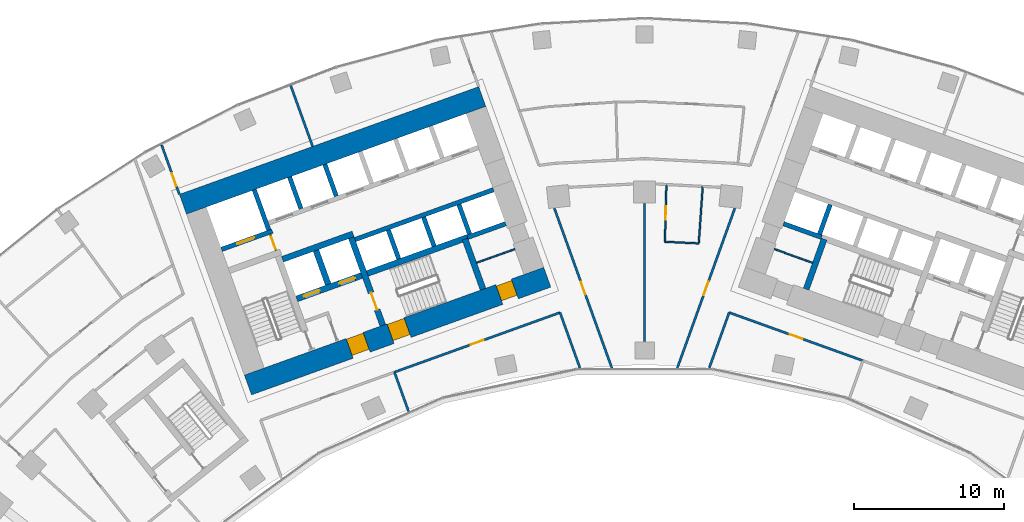
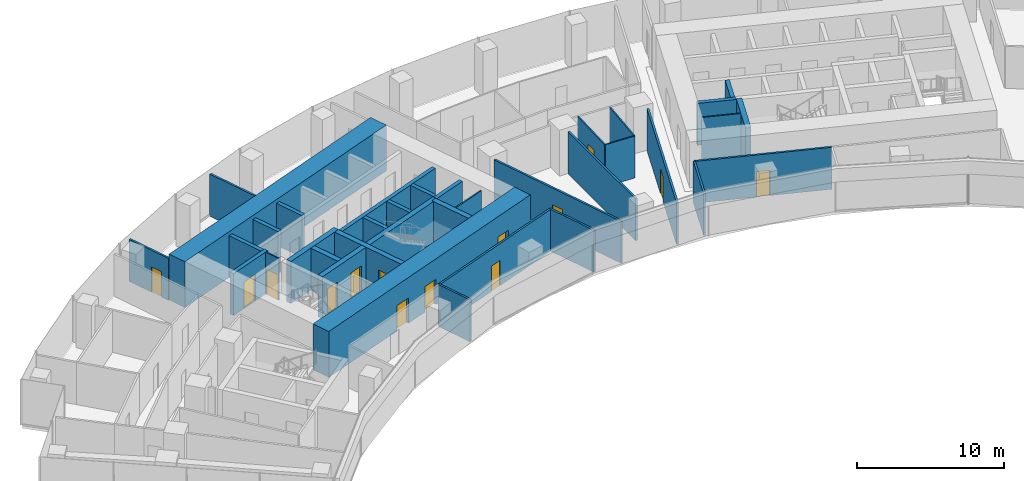
# One storey, part 15 of 21: 35 walls, 14 doors, 14 openings.
"""IFC4 building model written with IfcOpenShell, lengths in metres."""

from ifc_helpers import new_model, si_unit, direction, frame, frame_2d, origin, place, context, subcontext, project, spatial, rectangle, extrude, material, layer, layer_set, type_object, element, fill, save


model = new_model("IFC4")

# Units and contexts
model_context = context("Model", 3, precision=1e-05, world=origin(), true_north=direction((0.0, 1.0)))
body_context = subcontext(model_context, "Body", "Model", "MODEL_VIEW")
ifc_project = project(units=[si_unit("LENGTHUNIT", "METRE"), si_unit("AREAUNIT", "SQUARE_METRE"), si_unit("VOLUMEUNIT", "CUBIC_METRE"), si_unit("PLANEANGLEUNIT", "RADIAN"), si_unit("MASSUNIT", "GRAM", prefix="KILO")], contexts=[model_context])

# Site, building, storey
site_placement = place(None, origin())
site = spatial("IfcSite", under=ifc_project, at=site_placement, CompositionType="ELEMENT")
building_placement = place(site_placement, origin())
building = spatial("IfcBuilding", under=site, at=building_placement, Name="Stone Belt Terrace Tower", CompositionType="ELEMENT")
storey_placement = place(building_placement, frame((0.0, 0.0, 90.800048828125)))
storey = spatial("IfcBuildingStorey", under=building, at=storey_placement, Name="L21", CompositionType="ELEMENT", Elevation=90.800048828125)

# Wall, opening, door
ifc_material_1 = material(Name="Plasterboard partition")
ifc_layer_1 = layer(ifc_material_1, 0.10009765625)
ifc_layer_set_1 = layer_set([ifc_layer_1], Name="Core partition 100")
wall_type_1 = type_object("IfcWallType", Name="Core partition 100", PredefinedType="PARTITIONING", material=ifc_layer_set_1)
wall_1_placement = place(storey_placement, frame((-24.555908203125, 51.10400390625, 0.0), z_axis=(0.0, 0.0, 1.0), x_axis=(-0.338621735342, 0.94092258999, 0.0)))
wall_1 = element("IfcWall", 1, at=wall_1_placement, inside=storey, type_object=wall_type_1, Name="Core A wall", PredefinedType="PARTITIONING", context=body_context, shape_type="SweptSolid", body=[
    extrude(rectangle(XDim=1.14990234375, YDim=0.10009765625, at=frame_2d((0.574951171875, 0.0))), origin(), (0.0, 0.0, 1.0), 3.47998046875),
])
opening_1_placement = place(wall_1_placement, frame((0.050048828125, 0.0, 0.0)))
opening_1 = element("IfcOpeningElement", 2, at=opening_1_placement, cuts=wall_1, Name="Opening L21-C01", PredefinedType="OPENING", context=body_context, shape_type="SweptSolid", body=[
    extrude(rectangle(XDim=1.0, YDim=2.10009765625, at=frame_2d((0.5, 1.050048828125))), frame((0.0, 0.06005859375, 0.0), z_axis=(0.0, -1.0, 0.0), x_axis=(1.0, 0.0, 0.0)), (0.0, 0.0, 1.0), 0.1201171875),
])
ifc_material_2 = material(Name="Timber door leaf", Category="wood")
door_type_1 = type_object("IfcDoorType", Name="Core room door 1000", OperationType="SINGLE_SWING_LEFT", PredefinedType="DOOR", material=ifc_material_2)
door_1_placement = place(opening_1_placement, origin())
door_1 = element("IfcDoor", 3, at=door_1_placement, inside=storey, type_object=door_type_1, Name="Service lift lobby door core A", OperationType="SINGLE_SWING_RIGHT", OverallHeight=2.10009765625, OverallWidth=1.0, PredefinedType="DOOR", context=body_context, shape_type="SweptSolid", body=[
    extrude(rectangle(XDim=1.0, YDim=2.10009765625, at=frame_2d((0.5, 1.050048828125))), frame((0.0, 0.02490234375, 0.0), z_axis=(0.0, -1.0, 0.0), x_axis=(1.0, 0.0, 0.0)), (0.0, 0.0, 1.0), 0.050048828125),
])
fill(opening_1, door_1)

# Walls
for number, where, z_axis, x_axis, name in (
    (4, (-11.187744140625, 50.2822265625, 0.0), (0.0, 0.0, 1.0), (0.940949642365, 0.338546555931, 0.0), "Core A wall"),
    (5, (11.187744140625, 50.2822265625, 0.0), (0.0, 0.0, 1.0), (-0.940949642365, 0.338546555931, 0.0), "Core B wall"),
):
    element("IfcWall", number, at=place(storey_placement, frame(where, z_axis=z_axis, x_axis=x_axis)), inside=storey, type_object=wall_type_1, Name=name, PredefinedType="PARTITIONING", context=body_context, shape_type="SweptSolid", body=[
        extrude(rectangle(XDim=2.699951171875, YDim=0.10009765625, at=frame_2d((1.35009765625, 0.0))), origin(), (0.0, 0.0, 1.0), 3.47998046875),
    ])

# Wall, openings, doors
ifc_material_3 = material(Name="Concrete B80", Category="concrete")
ifc_layer_2 = layer(ifc_material_3, 1.39990234375)
ifc_layer_set_2 = layer_set([ifc_layer_2], Name="Core wall 1400 B80")
wall_type_2 = type_object("IfcWallType", Name="Core wall 1400 B80", PredefinedType="SHEAR", material=ifc_layer_set_2)
wall_2_placement = place(storey_placement, frame((-26.430908203125, 42.139404296875, 0.0), z_axis=(0.0, 0.0, 1.0), x_axis=(0.940923374003, 0.33861955681, 0.0)))
wall_2 = element("IfcWall", 6, at=wall_2_placement, inside=storey, type_object=wall_type_2, Name="Core A wall concave L21", PredefinedType="SHEAR", context=body_context, shape_type="SweptSolid", body=[
    extrude(rectangle(XDim=21.199951171875, YDim=1.39990234375, at=frame_2d((10.60009765625, 0.0))), origin(), (0.0, 0.0, 1.0), 3.800048828125),
])
opening_2_placement = place(wall_2_placement, frame((7.199951171875, 0.0, 0.0)))
opening_2 = element("IfcOpeningElement", 7, at=opening_2_placement, cuts=wall_2, Name="Opening L21-C05", PredefinedType="OPENING", context=body_context, shape_type="SweptSolid", body=[
    extrude(rectangle(XDim=1.199951171875, YDim=2.10009765625, at=frame_2d((0.60009765625, 1.050048828125))), frame((0.0, 0.7099609375, 0.0), z_axis=(0.0, -1.0, 0.0), x_axis=(1.0, 0.0, 0.0)), (0.0, 0.0, 1.0), 1.419921875),
])
opening_3_placement = place(wall_2_placement, frame((10.099853515625, 0.0, 0.0)))
opening_3 = element("IfcOpeningElement", 8, at=opening_3_placement, cuts=wall_2, Name="Opening L21-C07", PredefinedType="OPENING", context=body_context, shape_type="SweptSolid", body=[
    extrude(rectangle(XDim=1.199951171875, YDim=2.10009765625, at=frame_2d((0.60009765625, 1.050048828125))), frame((0.0, 0.7099609375, 0.0), z_axis=(0.0, -1.0, 0.0), x_axis=(1.0, 0.0, 0.0)), (0.0, 0.0, 1.0), 1.419921875),
])
opening_4_placement = place(wall_2_placement, frame((17.800048828125, 0.0, 0.0)))
opening_4 = element("IfcOpeningElement", 9, at=opening_4_placement, cuts=wall_2, Name="Opening L21-C09", PredefinedType="OPENING", context=body_context, shape_type="SweptSolid", body=[
    extrude(rectangle(XDim=1.10009765625, YDim=2.10009765625, at=frame_2d((0.550048828125, 1.050048828125))), frame((0.0, 0.7099609375, 0.0), z_axis=(0.0, -1.0, 0.0), x_axis=(1.0, 0.0, 0.0)), (0.0, 0.0, 1.0), 1.419921875),
])
door_type_2 = type_object("IfcDoorType", Name="Core room door 1100", OperationType="SINGLE_SWING_LEFT", PredefinedType="DOOR", material=ifc_material_2)
door_2_placement = place(opening_4_placement, origin())
door_2 = element("IfcDoor", 10, at=door_2_placement, inside=storey, type_object=door_type_2, Name="Door to Cleaner's store core A", OperationType="SINGLE_SWING_RIGHT", OverallHeight=2.10009765625, OverallWidth=1.10009765625, PredefinedType="DOOR", context=body_context, shape_type="SweptSolid", body=[
    extrude(rectangle(XDim=1.10009765625, YDim=2.10009765625, at=frame_2d((0.550048828125, 1.050048828125))), frame((0.0, 0.60498046875, 0.0), z_axis=(0.0, -1.0, 0.0), x_axis=(1.0, 0.0, 0.0)), (0.0, 0.0, 1.0), 1.050048828125),
])
fill(opening_4, door_2)
ifc_material_4 = material(Name="Steel door leaf", Category="steel")
door_type_3 = type_object("IfcDoorType", Name="Fire-fighting lobby door 1200", OperationType="SINGLE_SWING_LEFT", PredefinedType="DOOR", material=ifc_material_4)
door_3_placement = place(opening_2_placement, origin())
door_3 = element("IfcDoor", 11, at=door_3_placement, inside=storey, type_object=door_type_3, Name="Fire-fighting lobby door core A", OperationType="SINGLE_SWING_RIGHT", OverallHeight=2.10009765625, OverallWidth=1.199951171875, PredefinedType="DOOR", context=body_context, shape_type="SweptSolid", body=[
    extrude(rectangle(XDim=1.199951171875, YDim=2.10009765625, at=frame_2d((0.60009765625, 1.050048828125))), frame((0.0, 0.655029296875, 0.0), z_axis=(0.0, -1.0, 0.0), x_axis=(1.0, 0.0, 0.0)), (0.0, 0.0, 1.0), 1.14990234375),
])
fill(opening_2, door_3)
door_type_4 = type_object("IfcDoorType", Name="Stair door 1200", OperationType="SINGLE_SWING_LEFT", PredefinedType="DOOR", material=ifc_material_4)
door_4_placement = place(opening_3_placement, origin())
door_4 = element("IfcDoor", 12, at=door_4_placement, inside=storey, type_object=door_type_4, Name="Stair 2 exit door core A", OperationType="SINGLE_SWING_LEFT", OverallHeight=2.10009765625, OverallWidth=1.199951171875, PredefinedType="DOOR", context=body_context, shape_type="SweptSolid", body=[
    extrude(rectangle(XDim=1.199951171875, YDim=2.10009765625, at=frame_2d((0.60009765625, 1.050048828125))), frame((0.0, 0.655029296875, 0.0), z_axis=(0.0, -1.0, 0.0), x_axis=(1.0, 0.0, 0.0)), (0.0, 0.0, 1.0), 1.14990234375),
])
fill(opening_3, door_4)

# Walls
wall_3_placement = place(storey_placement, frame((-30.765380859375, 54.18310546875, 0.0), z_axis=(0.0, 0.0, 1.0), x_axis=(0.940919704758, 0.338629752382, 0.0)))
element("IfcWall", 13, at=wall_3_placement, inside=storey, type_object=wall_type_2, Name="Core A wall convex L21", PredefinedType="SHEAR", context=body_context, shape_type="SweptSolid", body=[
    extrude(rectangle(XDim=21.199951171875, YDim=1.39990234375, at=frame_2d((10.60009765625, 0.0))), origin(), (0.0, 0.0, 1.0), 3.800048828125),
])
ifc_layer_3 = layer(ifc_material_3, 0.39990234375)
ifc_layer_set_3 = layer_set([ifc_layer_3], Name="Fire-fighting lift shaft wall 400")
wall_type_3 = type_object("IfcWallType", Name="Fire-fighting lift shaft wall 400", PredefinedType="SHEAR", material=ifc_layer_set_3)
wall_4_placement = place(storey_placement, frame((-24.130615234375, 50.512939453125, 0.0), z_axis=(0.0, 0.0, 1.0), x_axis=(0.94091168377, 0.338652038744, 0.0)))
element("IfcWall", 14, at=wall_4_placement, inside=storey, type_object=wall_type_3, Name="Core A wall", PredefinedType="SHEAR", context=body_context, shape_type="SweptSolid", body=[
    extrude(rectangle(XDim=5.000244140625, YDim=0.39990234375, at=frame_2d((2.5, 0.0))), origin(), (0.0, 0.0, 1.0), 3.47998046875),
])
wall_5_placement = place(storey_placement, frame((-21.0859375, 48.845458984375, 0.0), z_axis=(0.0, 0.0, 1.0), x_axis=(-0.338629416206, 0.940919825745, 0.0)))
element("IfcWall", 15, at=wall_5_placement, inside=storey, type_object=wall_type_3, Name="Core A wall", PredefinedType="SHEAR", context=body_context, shape_type="SweptSolid", body=[
    extrude(rectangle(XDim=2.400146484375, YDim=0.39990234375, at=frame_2d((1.2001953125, 0.0))), origin(), (0.0, 0.0, 1.0), 3.47998046875),
])

# Wall, opening, door
ifc_layer_4 = layer(ifc_material_3, 0.300048828125)
ifc_layer_set_4 = layer_set([ifc_layer_4], Name="Lift shaft wall 300")
wall_type_4 = type_object("IfcWallType", Name="Lift shaft wall 300", PredefinedType="SHEAR", material=ifc_layer_set_4)
wall_6_placement = place(storey_placement, frame((-28.195068359375, 51.17578125, 0.0), z_axis=(0.0, 0.0, 1.0), x_axis=(0.940901243567, 0.338681044427, 0.0)))
wall_6 = element("IfcWall", 16, at=wall_6_placement, inside=storey, type_object=wall_type_4, Name="Core A wall", PredefinedType="SHEAR", context=body_context, shape_type="SweptSolid", body=[
    extrude(rectangle(XDim=3.599853515625, YDim=0.300048828125, at=frame_2d((1.7998046875, 0.0))), origin(), (0.0, 0.0, 1.0), 3.47998046875),
])
opening_5_placement = place(wall_6_placement, frame((1.1201171875, 0.0, 0.0)))
opening_5 = element("IfcOpeningElement", 17, at=opening_5_placement, cuts=wall_6, Name="Opening L21-LD09", PredefinedType="OPENING", context=body_context, shape_type="SweptSolid", body=[
    extrude(rectangle(XDim=1.199951171875, YDim=2.199951171875, at=frame_2d((0.60009765625, 1.10009765625))), frame((0.0, 0.159912109375, 0.0), z_axis=(0.0, -1.0, 0.0), x_axis=(1.0, 0.0, 0.0)), (0.0, 0.0, 1.0), 0.320068359375),
])
ifc_material_5 = material(Name="Stainless steel door leaf", Category="steel")
door_type_5 = type_object("IfcDoorType", Name="Landing door 1200", OperationType="SLIDING_TO_LEFT", PredefinedType="DOOR", material=ifc_material_5)
door_5_placement = place(opening_5_placement, origin())
door_5 = element("IfcDoor", 18, at=door_5_placement, inside=storey, type_object=door_type_5, Name="Landing door SV1 core A", OperationType="SLIDING_TO_LEFT", OverallHeight=2.199951171875, OverallWidth=1.199951171875, PredefinedType="DOOR", context=body_context, shape_type="SweptSolid", body=[
    extrude(rectangle(XDim=1.199951171875, YDim=2.199951171875, at=frame_2d((0.60009765625, 1.10009765625))), frame((0.0, 0.02490234375, 0.0), z_axis=(0.0, -1.0, 0.0), x_axis=(1.0, 0.0, 0.0)), (0.0, 0.0, 1.0), 0.050048828125),
])
fill(opening_5, door_5)

# Walls
wall_7_placement = place(storey_placement, frame((-25.046875, 52.46826171875, 0.0), z_axis=(0.0, 0.0, 1.0), x_axis=(-0.338549588058, 0.940948551423, 0.0)))
element("IfcWall", 19, at=wall_7_placement, inside=storey, type_object=wall_type_4, Name="Core A wall", PredefinedType="SHEAR", context=body_context, shape_type="SweptSolid", body=[
    extrude(rectangle(XDim=2.849853515625, YDim=0.300048828125, at=frame_2d((1.4248046875, 0.0))), origin(), (0.0, 0.0, 1.0), 3.47998046875),
])
wall_8_placement = place(storey_placement, frame((-22.897705078125, 53.87939453125, 0.0), z_axis=(0.0, 0.0, 1.0), x_axis=(-0.338535034312, 0.940953787677, 0.0)))
element("IfcWall", 20, at=wall_8_placement, inside=storey, type_object=wall_type_4, Name="Core A wall", PredefinedType="SHEAR", context=body_context, shape_type="SweptSolid", body=[
    extrude(rectangle(XDim=2.25, YDim=0.300048828125, at=frame_2d((1.125, 0.0))), origin(), (0.0, 0.0, 1.0), 3.47998046875),
])
wall_9_placement = place(storey_placement, frame((-19.29052734375, 51.829833984375, 0.0), z_axis=(0.0, 0.0, 1.0), x_axis=(0.940925833398, 0.338612722803, 0.0)))
element("IfcWall", 21, at=wall_9_placement, inside=storey, type_object=wall_type_4, Name="Core A wall", PredefinedType="SHEAR", context=body_context, shape_type="SweptSolid", body=[
    extrude(rectangle(XDim=9.7998046875, YDim=0.300048828125, at=frame_2d((4.89990234375, 0.0))), origin(), (0.0, 0.0, 1.0), 3.47998046875),
])
wall_10_placement = place(storey_placement, frame((-20.54541015625, 54.72607421875, 0.0), z_axis=(0.0, 0.0, 1.0), x_axis=(-0.338569601369, 0.940941350472, 0.0)))
element("IfcWall", 22, at=wall_10_placement, inside=storey, type_object=wall_type_4, Name="Core A wall", PredefinedType="SHEAR", context=body_context, shape_type="SweptSolid", body=[
    extrude(rectangle(XDim=2.249755859375, YDim=0.300048828125, at=frame_2d((1.125, 0.0))), origin(), (0.0, 0.0, 1.0), 3.47998046875),
])
for number, where, z_axis, x_axis, name in (
    (23, (-16.38134765625, 50.53857421875, 0.0), (0.0, 0.0, 1.0), (-0.338681515556, 0.940901073982, 0.0), "Core A wall"),
    (24, (-14.029052734375, 51.38525390625, 0.0), (0.0, 0.0, 1.0), (-0.338681515556, 0.940901073982, 0.0), "Core A wall"),
):
    element("IfcWall", number, at=place(storey_placement, frame(where, z_axis=z_axis, x_axis=x_axis)), inside=storey, type_object=wall_type_4, Name=name, PredefinedType="SHEAR", context=body_context, shape_type="SweptSolid", body=[
        extrude(rectangle(XDim=2.050048828125, YDim=0.300048828125, at=frame_2d((1.02490234375, 0.0))), origin(), (0.0, 0.0, 1.0), 3.47998046875),
    ])
wall_11_placement = place(storey_placement, frame((-11.797119140625, 51.975830078125, 0.0), z_axis=(0.0, 0.0, 1.0), x_axis=(0.940910465161, 0.33865542451, 0.0)))
element("IfcWall", 25, at=wall_11_placement, inside=storey, type_object=wall_type_4, Name="Core A wall", PredefinedType="SHEAR", context=body_context, shape_type="SweptSolid", body=[
    extrude(rectangle(XDim=2.69970703125, YDim=0.300048828125, at=frame_2d((1.349853515625, 0.0))), origin(), (0.0, 0.0, 1.0), 3.47998046875),
])
wall_12_placement = place(storey_placement, frame((-11.659912109375, 52.184814453125, 0.0), z_axis=(0.0, 0.0, 1.0), x_axis=(-0.338670064856, 0.940905195634, 0.0)))
element("IfcWall", 26, at=wall_12_placement, inside=storey, type_object=wall_type_4, Name="Core A wall", PredefinedType="SHEAR", context=body_context, shape_type="SweptSolid", body=[
    extrude(rectangle(XDim=2.099853515625, YDim=0.300048828125, at=frame_2d((1.0498046875, 0.0))), origin(), (0.0, 0.0, 1.0), 3.47998046875),
])
wall_13_placement = place(storey_placement, frame((11.797119140625, 51.975830078125, 0.0), z_axis=(0.0, 0.0, 1.0), x_axis=(-0.940910465161, 0.33865542451, 0.0)))
element("IfcWall", 27, at=wall_13_placement, inside=storey, type_object=wall_type_4, Name="Core B wall", PredefinedType="SHEAR", context=body_context, shape_type="SweptSolid", body=[
    extrude(rectangle(XDim=2.69970703125, YDim=0.300048828125, at=frame_2d((1.349853515625, 0.0))), origin(), (0.0, 0.0, 1.0), 3.47998046875),
])
wall_14_placement = place(storey_placement, frame((11.659912109375, 52.184814453125, 0.0), z_axis=(0.0, 0.0, 1.0), x_axis=(0.338670064856, 0.940905195634, 0.0)))
element("IfcWall", 28, at=wall_14_placement, inside=storey, type_object=wall_type_4, Name="Core B wall", PredefinedType="SHEAR", context=body_context, shape_type="SweptSolid", body=[
    extrude(rectangle(XDim=2.099853515625, YDim=0.300048828125, at=frame_2d((1.0498046875, 0.0))), origin(), (0.0, 0.0, 1.0), 3.47998046875),
])

# Wall, opening, door
ifc_material_6 = material(Name="Gypsum board partition")
ifc_layer_5 = layer(ifc_material_6, 0.10009765625)
ifc_layer_set_5 = layer_set([ifc_layer_5], Name="PARTITION 100")
wall_type_5 = type_object("IfcWallType", Name="PARTITION 100", PredefinedType="PARTITIONING", material=ifc_layer_set_5)
wall_15_placement = place(storey_placement, frame((1.4541015625, 55.4990234375, 0.0), z_axis=(0.0, 0.0, 1.0), x_axis=(-0.025958630336, -0.999663017977, 0.0)))
wall_15 = element("IfcWall", 29, at=wall_15_placement, inside=storey, type_object=wall_type_5, Name="L21/wall/i090", PredefinedType="PARTITIONING", context=body_context, shape_type="SweptSolid", body=[
    extrude(rectangle(XDim=3.818359375, YDim=0.10009765625, at=frame_2d((1.9091796875, 0.0))), origin(), (0.0, 0.0, 1.0), 3.47998046875),
])
opening_6_placement = place(wall_15_placement, frame((1.459228515625, 0.0, 0.0)))
opening_6 = element("IfcOpeningElement", 30, at=opening_6_placement, cuts=wall_15, Name="Opening D-B2-28", PredefinedType="OPENING", context=body_context, shape_type="SweptSolid", body=[
    extrude(rectangle(XDim=0.89990234375, YDim=2.10009765625, at=frame_2d((0.449951171875, 1.050048828125))), frame((0.0, 0.06005859375, 0.0), z_axis=(0.0, -1.0, 0.0), x_axis=(1.0, 0.0, 0.0)), (0.0, 0.0, 1.0), 0.1201171875),
])
door_type_6 = type_object("IfcDoorType", Name="OFFICE DOOR 900 X 2100", OperationType="NOTDEFINED", PredefinedType="DOOR", material=ifc_material_2)
door_6_placement = place(opening_6_placement, origin())
door_6 = element("IfcDoor", 31, at=door_6_placement, inside=storey, type_object=door_type_6, Name="L21/door/i28", OperationType="SINGLE_SWING_RIGHT", OverallHeight=2.10009765625, OverallWidth=0.89990234375, PredefinedType="DOOR", context=body_context, shape_type="SweptSolid", body=[
    extrude(rectangle(XDim=0.89990234375, YDim=2.10009765625, at=frame_2d((0.449951171875, 1.050048828125))), frame((0.0, 0.02490234375, 0.0), z_axis=(0.0, -1.0, 0.0), x_axis=(1.0, 0.0, 0.0)), (0.0, 0.0, 1.0), 0.050048828125),
])
fill(opening_6, door_6)

# Walls
wall_16_placement = place(storey_placement, frame((1.35498046875, 51.681884765625, 0.0), z_axis=(0.0, 0.0, 1.0), x_axis=(0.998855865407, -0.047822172066, 0.0)))
element("IfcWall", 32, at=wall_16_placement, inside=storey, type_object=wall_type_5, Name="L21/wall/i091", PredefinedType="PARTITIONING", context=body_context, shape_type="SweptSolid", body=[
    extrude(rectangle(XDim=2.256591796875, YDim=0.10009765625, at=frame_2d((1.12841796875, 0.0))), origin(), (0.0, 0.0, 1.0), 3.47998046875),
])
wall_17_placement = place(storey_placement, frame((3.60888671875, 51.573974609375, 0.0), z_axis=(0.0, 0.0, 1.0), x_axis=(0.069893575531, 0.997554453701, 0.0)))
element("IfcWall", 33, at=wall_17_placement, inside=storey, type_object=wall_type_5, Name="L21/wall/i092", PredefinedType="PARTITIONING", context=body_context, shape_type="SweptSolid", body=[
    extrude(rectangle(XDim=3.807373046875, YDim=0.10009765625, at=frame_2d((1.90380859375, 0.0))), origin(), (0.0, 0.0, 1.0), 3.47998046875),
])

# Wall, opening, door
ifc_layer_6 = layer(ifc_material_6, 0.14990234375)
ifc_layer_set_6 = layer_set([ifc_layer_6], Name="PARTITION 150 EI 60")
wall_type_6 = type_object("IfcWallType", Name="PARTITION 150 EI 60", PredefinedType="PARTITIONING", material=ifc_layer_set_6)
wall_18_placement = place(storey_placement, frame((-32.185791015625, 58.131103515625, 0.0), z_axis=(0.0, 0.0, 1.0), x_axis=(0.338662585219, -0.940907887826, 0.0)))
wall_18 = element("IfcWall", 34, at=wall_18_placement, inside=storey, type_object=wall_type_6, Name="L21/wall/i002", PredefinedType="PARTITIONING", context=body_context, shape_type="SweptSolid", body=[
    extrude(rectangle(XDim=3.49560546875, YDim=0.14990234375, at=frame_2d((1.747802734375, 0.0))), origin(), (0.0, 0.0, 1.0), 3.47998046875),
])
opening_7_placement = place(wall_18_placement, frame((1.996337890625, 0.0, 0.0)))
opening_7 = element("IfcOpeningElement", 35, at=opening_7_placement, cuts=wall_18, Name="Opening D-B2-03", PredefinedType="OPENING", context=body_context, shape_type="SweptSolid", body=[
    extrude(rectangle(XDim=0.89990234375, YDim=2.10009765625, at=frame_2d((0.449951171875, 1.050048828125))), frame((0.0, 0.0849609375, 0.0), z_axis=(0.0, -1.0, 0.0), x_axis=(1.0, 0.0, 0.0)), (0.0, 0.0, 1.0), 0.169921875),
])
door_7_placement = place(opening_7_placement, origin())
door_7 = element("IfcDoor", 36, at=door_7_placement, inside=storey, type_object=door_type_6, Name="L21/door/i03", OperationType="SINGLE_SWING_RIGHT", OverallHeight=2.10009765625, OverallWidth=0.89990234375, PredefinedType="DOOR", context=body_context, shape_type="SweptSolid", body=[
    extrude(rectangle(XDim=0.89990234375, YDim=2.10009765625, at=frame_2d((0.449951171875, 1.050048828125))), frame((0.0, 0.02490234375, 0.0), z_axis=(0.0, -1.0, 0.0), x_axis=(1.0, 0.0, 0.0)), (0.0, 0.0, 1.0), 0.050048828125),
])
fill(opening_7, door_7)

# Wall
wall_19_placement = place(storey_placement, frame((-4.31005859375, 43.27783203125, 0.0), z_axis=(0.0, 0.0, 1.0), x_axis=(-0.338490436495, 0.940969831823, 0.0)))
element("IfcWall", 37, at=wall_19_placement, inside=storey, type_object=wall_type_6, Name="L21/wall/i007", PredefinedType="PARTITIONING", context=body_context, shape_type="SweptSolid", body=[
    extrude(rectangle(XDim=3.92578125, YDim=0.14990234375, at=frame_2d((1.962890625, 0.0))), origin(), (0.0, 0.0, 1.0), 3.47998046875),
])

# Wall, opening, door
wall_20_placement = place(storey_placement, frame((-6.011962890625, 53.911865234375, 0.0), z_axis=(0.0, 0.0, 1.0), x_axis=(0.338656837626, -0.940909956547, 0.0)))
wall_20 = element("IfcWall", 38, at=wall_20_placement, inside=storey, type_object=wall_type_6, Name="L21/wall/i009", PredefinedType="PARTITIONING", context=body_context, shape_type="SweptSolid", body=[
    extrude(rectangle(XDim=11.319091796875, YDim=0.14990234375, at=frame_2d((5.65966796875, 0.0))), origin(), (0.0, 0.0, 1.0), 3.47998046875),
])
opening_8_placement = place(wall_20_placement, frame((5.20947265625, 0.0, 0.0)))
opening_8 = element("IfcOpeningElement", 39, at=opening_8_placement, cuts=wall_20, Name="Opening D-B2-26", PredefinedType="OPENING", context=body_context, shape_type="SweptSolid", body=[
    extrude(rectangle(XDim=0.89990234375, YDim=2.10009765625, at=frame_2d((0.449951171875, 1.050048828125))), frame((0.0, 0.0849609375, 0.0), z_axis=(0.0, -1.0, 0.0), x_axis=(1.0, 0.0, 0.0)), (0.0, 0.0, 1.0), 0.169921875),
])
door_8_placement = place(opening_8_placement, origin())
door_8 = element("IfcDoor", 40, at=door_8_placement, inside=storey, type_object=door_type_6, Name="L21/door/i26", OperationType="SINGLE_SWING_RIGHT", OverallHeight=2.10009765625, OverallWidth=0.89990234375, PredefinedType="DOOR", context=body_context, shape_type="SweptSolid", body=[
    extrude(rectangle(XDim=0.89990234375, YDim=2.10009765625, at=frame_2d((0.449951171875, 1.050048828125))), frame((0.0, 0.02490234375, 0.0), z_axis=(0.0, -1.0, 0.0), x_axis=(1.0, 0.0, 0.0)), (0.0, 0.0, 1.0), 0.050048828125),
])
fill(opening_8, door_8)

wall_21_placement = place(storey_placement, frame((-5.636962890625, 46.966064453125, 0.0), z_axis=(0.0, 0.0, 1.0), x_axis=(-0.940912345084, -0.338650201342, 0.0)))
wall_21 = element("IfcWall", 41, at=wall_21_placement, inside=storey, type_object=wall_type_6, Name="L21/wall/i013", PredefinedType="PARTITIONING", context=body_context, shape_type="SweptSolid", body=[
    extrude(rectangle(XDim=11.732177734375, YDim=0.14990234375, at=frame_2d((5.8662109375, 0.0))), origin(), (0.0, 0.0, 1.0), 3.47998046875),
])
opening_9_placement = place(wall_21_placement, frame((5.416015625, 0.0, 0.0)))
opening_9 = element("IfcOpeningElement", 42, at=opening_9_placement, cuts=wall_21, Name="Opening D-B2-02", PredefinedType="OPENING", context=body_context, shape_type="SweptSolid", body=[
    extrude(rectangle(XDim=0.89990234375, YDim=2.10009765625, at=frame_2d((0.449951171875, 1.050048828125))), frame((0.0, 0.0849609375, 0.0), z_axis=(0.0, -1.0, 0.0), x_axis=(1.0, 0.0, 0.0)), (0.0, 0.0, 1.0), 0.169921875),
])
door_9_placement = place(opening_9_placement, origin())
door_9 = element("IfcDoor", 43, at=door_9_placement, inside=storey, type_object=door_type_6, Name="L21/door/i02", OperationType="SINGLE_SWING_RIGHT", OverallHeight=2.10009765625, OverallWidth=0.89990234375, PredefinedType="DOOR", context=body_context, shape_type="SweptSolid", body=[
    extrude(rectangle(XDim=0.89990234375, YDim=2.10009765625, at=frame_2d((0.449951171875, 1.050048828125))), frame((0.0, 0.02490234375, 0.0), z_axis=(0.0, -1.0, 0.0), x_axis=(1.0, 0.0, 0.0)), (0.0, 0.0, 1.0), 0.050048828125),
])
fill(opening_9, door_9)

# Walls
wall_22_placement = place(storey_placement, frame((-16.669921875, 42.9951171875, 0.0), z_axis=(0.0, 0.0, 1.0), x_axis=(0.338497487459, -0.940967295385, 0.0)))
element("IfcWall", 44, at=wall_22_placement, inside=storey, type_object=wall_type_6, Name="L21/wall/i014", PredefinedType="PARTITIONING", context=body_context, shape_type="SweptSolid", body=[
    extrude(rectangle(XDim=2.80419921875, YDim=0.14990234375, at=frame_2d((1.402099609375, 0.0))), origin(), (0.0, 0.0, 1.0), 3.47998046875),
])
wall_23_placement = place(storey_placement, frame((-23.578857421875, 62.08203125, 0.0), z_axis=(0.0, 0.0, 1.0), x_axis=(0.338717456827, -0.940888135987, 0.0)))
element("IfcWall", 45, at=wall_23_placement, inside=storey, type_object=wall_type_6, Name="L21/wall/i015", PredefinedType="PARTITIONING", context=body_context, shape_type="SweptSolid", body=[
    extrude(rectangle(XDim=4.298095703125, YDim=0.14990234375, at=frame_2d((2.14892578125, 0.0))), origin(), (0.0, 0.0, 1.0), 3.47998046875),
])
wall_24_placement = place(storey_placement, frame((5.638916015625, 46.971923828125, 0.0), z_axis=(0.0, 0.0, 1.0), x_axis=(-0.338490436495, -0.940969831823, 0.0)))
element("IfcWall", 46, at=wall_24_placement, inside=storey, type_object=wall_type_6, Name="L21/wall/i016", PredefinedType="PARTITIONING", context=body_context, shape_type="SweptSolid", body=[
    extrude(rectangle(XDim=3.92578125, YDim=0.14990234375, at=frame_2d((1.962890625, 0.0))), origin(), (0.0, 0.0, 1.0), 3.47998046875),
])

# Wall, opening, door
wall_25_placement = place(storey_placement, frame((2.1787109375, 43.26171875, 0.0), z_axis=(0.0, 0.0, 1.0), x_axis=(0.338656837626, 0.940909956547, 0.0)))
wall_25 = element("IfcWall", 47, at=wall_25_placement, inside=storey, type_object=wall_type_6, Name="L21/wall/i018", PredefinedType="PARTITIONING", context=body_context, shape_type="SweptSolid", body=[
    extrude(rectangle(XDim=11.319091796875, YDim=0.14990234375, at=frame_2d((5.65966796875, 0.0))), origin(), (0.0, 0.0, 1.0), 3.47998046875),
])
opening_10_placement = place(wall_25_placement, frame((5.159423828125, 0.0, 0.0)))
opening_10 = element("IfcOpeningElement", 48, at=opening_10_placement, cuts=wall_25, Name="Opening D-B2-27", PredefinedType="OPENING", context=body_context, shape_type="SweptSolid", body=[
    extrude(rectangle(XDim=1.0, YDim=2.10009765625, at=frame_2d((0.5, 1.050048828125))), frame((0.0, 0.0849609375, 0.0), z_axis=(0.0, -1.0, 0.0), x_axis=(1.0, 0.0, 0.0)), (0.0, 0.0, 1.0), 0.169921875),
])
ifc_material_7 = material(Name="Timber fire door leaf", Category="wood")
door_type_7 = type_object("IfcDoorType", Name="TENANCY ENTRANCE DOOR 1000 X 2100", OperationType="NOTDEFINED", PredefinedType="DOOR", material=ifc_material_7)
door_10_placement = place(opening_10_placement, origin())
door_10 = element("IfcDoor", 49, at=door_10_placement, inside=storey, type_object=door_type_7, Name="L21/door/i27", OperationType="SINGLE_SWING_LEFT", OverallHeight=2.10009765625, OverallWidth=1.0, PredefinedType="DOOR", context=body_context, shape_type="SweptSolid", body=[
    extrude(rectangle(XDim=1.0, YDim=2.10009765625, at=frame_2d((0.5, 1.050048828125))), frame((0.0, 0.02490234375, 0.0), z_axis=(0.0, -1.0, 0.0), x_axis=(1.0, 0.0, 0.0)), (0.0, 0.0, 1.0), 0.050048828125),
])
fill(opening_10, door_10)

wall_26_placement = place(storey_placement, frame((14.55810546875, 43.7548828125, 0.0), z_axis=(0.0, 0.0, 1.0), x_axis=(-0.940901853913, 0.3386793488, 0.0)))
wall_26 = element("IfcWall", 50, at=wall_26_placement, inside=storey, type_object=wall_type_6, Name="L21/wall/i023", PredefinedType="PARTITIONING", context=body_context, shape_type="SweptSolid", body=[
    extrude(rectangle(XDim=9.4814453125, YDim=0.14990234375, at=frame_2d((4.74072265625, 0.0))), origin(), (0.0, 0.0, 1.0), 3.47998046875),
])
opening_11_placement = place(wall_26_placement, frame((4.29052734375, 0.0, 0.0)))
opening_11 = element("IfcOpeningElement", 51, at=opening_11_placement, cuts=wall_26, Name="Opening D-B2-05", PredefinedType="OPENING", context=body_context, shape_type="SweptSolid", body=[
    extrude(rectangle(XDim=0.89990234375, YDim=2.10009765625, at=frame_2d((0.449951171875, 1.050048828125))), frame((0.0, 0.0849609375, 0.0), z_axis=(0.0, -1.0, 0.0), x_axis=(1.0, 0.0, 0.0)), (0.0, 0.0, 1.0), 0.169921875),
])
door_11_placement = place(opening_11_placement, origin())
door_11 = element("IfcDoor", 52, at=door_11_placement, inside=storey, type_object=door_type_6, Name="L21/door/i05", OperationType="SINGLE_SWING_RIGHT", OverallHeight=2.10009765625, OverallWidth=0.89990234375, PredefinedType="DOOR", context=body_context, shape_type="SweptSolid", body=[
    extrude(rectangle(XDim=0.89990234375, YDim=2.10009765625, at=frame_2d((0.449951171875, 1.050048828125))), frame((0.0, 0.02490234375, 0.0), z_axis=(0.0, -1.0, 0.0), x_axis=(1.0, 0.0, 0.0)), (0.0, 0.0, 1.0), 0.050048828125),
])
fill(opening_11, door_11)

# Wall
wall_27_placement = place(storey_placement, frame((0.0, 54.2451171875, 0.0), z_axis=(0.0, 0.0, 1.0), x_axis=(0.0, -1.0, 0.0)))
element("IfcWall", 53, at=wall_27_placement, inside=storey, type_object=wall_type_6, Name="L21/wall/i089", PredefinedType="PARTITIONING", context=body_context, shape_type="SweptSolid", body=[
    extrude(rectangle(XDim=9.195068359375, YDim=0.14990234375, at=frame_2d((4.59765625, 0.0))), origin(), (0.0, 0.0, 1.0), 3.47998046875),
])

# Wall, openings, doors
ifc_layer_7 = layer(ifc_material_3, 0.39990234375)
ifc_layer_set_7 = layer_set([ifc_layer_7], Name="Stair enclosure wall 400")
wall_type_7 = type_object("IfcWallType", Name="Stair enclosure wall 400", PredefinedType="SHEAR", material=ifc_layer_set_7)
wall_28_placement = place(storey_placement, frame((-23.182373046875, 47.87841796875, 0.0), z_axis=(0.0, 0.0, 1.0), x_axis=(0.940921101762, 0.338625870628, 0.0)))
wall_28 = element("IfcWall", 54, at=wall_28_placement, inside=storey, type_object=wall_type_7, Name="Core A wall", PredefinedType="SHEAR", context=body_context, shape_type="SweptSolid", body=[
    extrude(rectangle(XDim=12.10009765625, YDim=0.39990234375, at=frame_2d((6.050048828125, 0.0))), origin(), (0.0, 0.0, 1.0), 3.47998046875),
])
opening_12_placement = place(wall_28_placement, frame((0.52001953125, 0.0, 0.0)))
opening_12 = element("IfcOpeningElement", 55, at=opening_12_placement, cuts=wall_28, Name="Opening L21-LD07", PredefinedType="OPENING", context=body_context, shape_type="SweptSolid", body=[
    extrude(rectangle(XDim=1.10009765625, YDim=2.199951171875, at=frame_2d((0.550048828125, 1.10009765625))), frame((0.0, 0.2099609375, 0.0), z_axis=(0.0, -1.0, 0.0), x_axis=(1.0, 0.0, 0.0)), (0.0, 0.0, 1.0), 0.419921875),
])
opening_13_placement = place(wall_28_placement, frame((3.02001953125, 0.0, 0.0)))
opening_13 = element("IfcOpeningElement", 56, at=opening_13_placement, cuts=wall_28, Name="Opening L21-LD08", PredefinedType="OPENING", context=body_context, shape_type="SweptSolid", body=[
    extrude(rectangle(XDim=1.10009765625, YDim=2.199951171875, at=frame_2d((0.550048828125, 1.10009765625))), frame((0.0, 0.2099609375, 0.0), z_axis=(0.0, -1.0, 0.0), x_axis=(1.0, 0.0, 0.0)), (0.0, 0.0, 1.0), 0.419921875),
])
door_type_8 = type_object("IfcDoorType", Name="Landing door 1100", OperationType="SLIDING_TO_LEFT", PredefinedType="DOOR", material=ifc_material_5)
door_12_placement = place(opening_12_placement, origin())
door_12 = element("IfcDoor", 57, at=door_12_placement, inside=storey, type_object=door_type_8, Name="Landing door FF1 core A", OperationType="SLIDING_TO_LEFT", OverallHeight=2.199951171875, OverallWidth=1.10009765625, PredefinedType="DOOR", context=body_context, shape_type="SweptSolid", body=[
    extrude(rectangle(XDim=1.10009765625, YDim=2.199951171875, at=frame_2d((0.550048828125, 1.10009765625))), frame((0.0, 0.02490234375, 0.0), z_axis=(0.0, -1.0, 0.0), x_axis=(1.0, 0.0, 0.0)), (0.0, 0.0, 1.0), 0.050048828125),
])
fill(opening_12, door_12)
door_13_placement = place(opening_13_placement, origin())
door_13 = element("IfcDoor", 58, at=door_13_placement, inside=storey, type_object=door_type_8, Name="Landing door FF2 core A", OperationType="SLIDING_TO_LEFT", OverallHeight=2.199951171875, OverallWidth=1.10009765625, PredefinedType="DOOR", context=body_context, shape_type="SweptSolid", body=[
    extrude(rectangle(XDim=1.10009765625, YDim=2.199951171875, at=frame_2d((0.550048828125, 1.10009765625))), frame((0.0, 0.02490234375, 0.0), z_axis=(0.0, -1.0, 0.0), x_axis=(1.0, 0.0, 0.0)), (0.0, 0.0, 1.0), 0.050048828125),
])
fill(opening_13, door_13)

# Wall, opening, door
wall_29_placement = place(storey_placement, frame((-17.447021484375, 46.116455078125, 0.0), z_axis=(0.0, 0.0, 1.0), x_axis=(-0.33860791464, 0.940927563707, 0.0)))
wall_29 = element("IfcWall", 59, at=wall_29_placement, inside=storey, type_object=wall_type_7, Name="Core A wall", PredefinedType="SHEAR", context=body_context, shape_type="SweptSolid", body=[
    extrude(rectangle(XDim=6.199951171875, YDim=0.39990234375, at=frame_2d((3.10009765625, 0.0))), origin(), (0.0, 0.0, 1.0), 3.47998046875),
])
opening_14_placement = place(wall_29_placement, frame((1.10009765625, 0.0, 0.0)))
opening_14 = element("IfcOpeningElement", 60, at=opening_14_placement, cuts=wall_29, Name="Opening L21-C06", PredefinedType="OPENING", context=body_context, shape_type="SweptSolid", body=[
    extrude(rectangle(XDim=1.199951171875, YDim=2.10009765625, at=frame_2d((0.60009765625, 1.050048828125))), frame((0.0, 0.2099609375, 0.0), z_axis=(0.0, -1.0, 0.0), x_axis=(1.0, 0.0, 0.0)), (0.0, 0.0, 1.0), 0.419921875),
])
door_14_placement = place(opening_14_placement, origin())
door_14 = element("IfcDoor", 61, at=door_14_placement, inside=storey, type_object=door_type_4, Name="Stair 2 door core A", OperationType="SINGLE_SWING_RIGHT", OverallHeight=2.10009765625, OverallWidth=1.199951171875, PredefinedType="DOOR", context=body_context, shape_type="SweptSolid", body=[
    extrude(rectangle(XDim=1.199951171875, YDim=2.10009765625, at=frame_2d((0.60009765625, 1.050048828125))), frame((0.0, 0.02490234375, 0.0), z_axis=(0.0, -1.0, 0.0), x_axis=(1.0, 0.0, 0.0)), (0.0, 0.0, 1.0), 0.050048828125),
])
fill(opening_14, door_14)

# Walls
for number, where, z_axis, x_axis, name in (
    (62, (-10.766357421875, 48.520751953125, 0.0), (0.0, 0.0, 1.0), (-0.338626928157, 0.94092072117, 0.0), "Core A wall"),
    (63, (10.766357421875, 48.520751953125, 0.0), (0.0, 0.0, 1.0), (0.338626928157, 0.94092072117, 0.0), "Core B wall"),
):
    element("IfcWall", number, at=place(storey_placement, frame(where, z_axis=z_axis, x_axis=x_axis)), inside=storey, type_object=wall_type_7, Name=name, PredefinedType="SHEAR", context=body_context, shape_type="SweptSolid", body=[
        extrude(rectangle(XDim=3.550048828125, YDim=0.39990234375, at=frame_2d((1.77490234375, 0.0))), origin(), (0.0, 0.0, 1.0), 3.47998046875),
    ])

save(model, "model.ifc")
